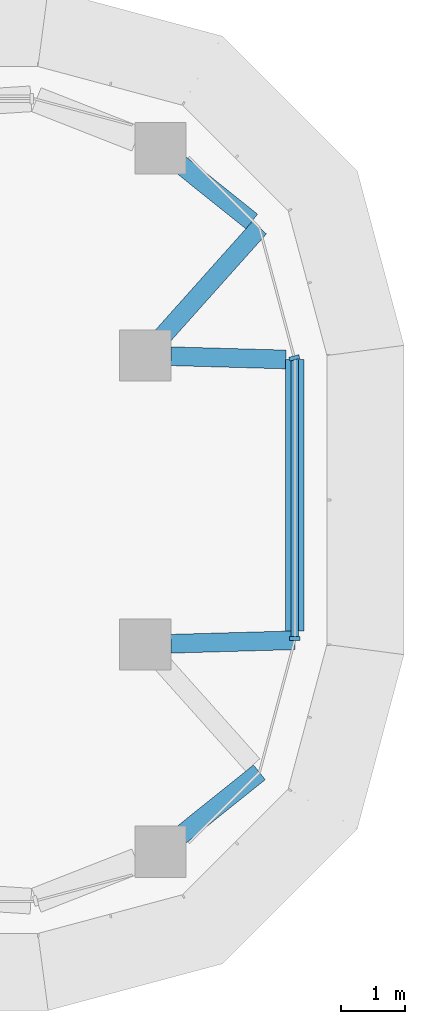
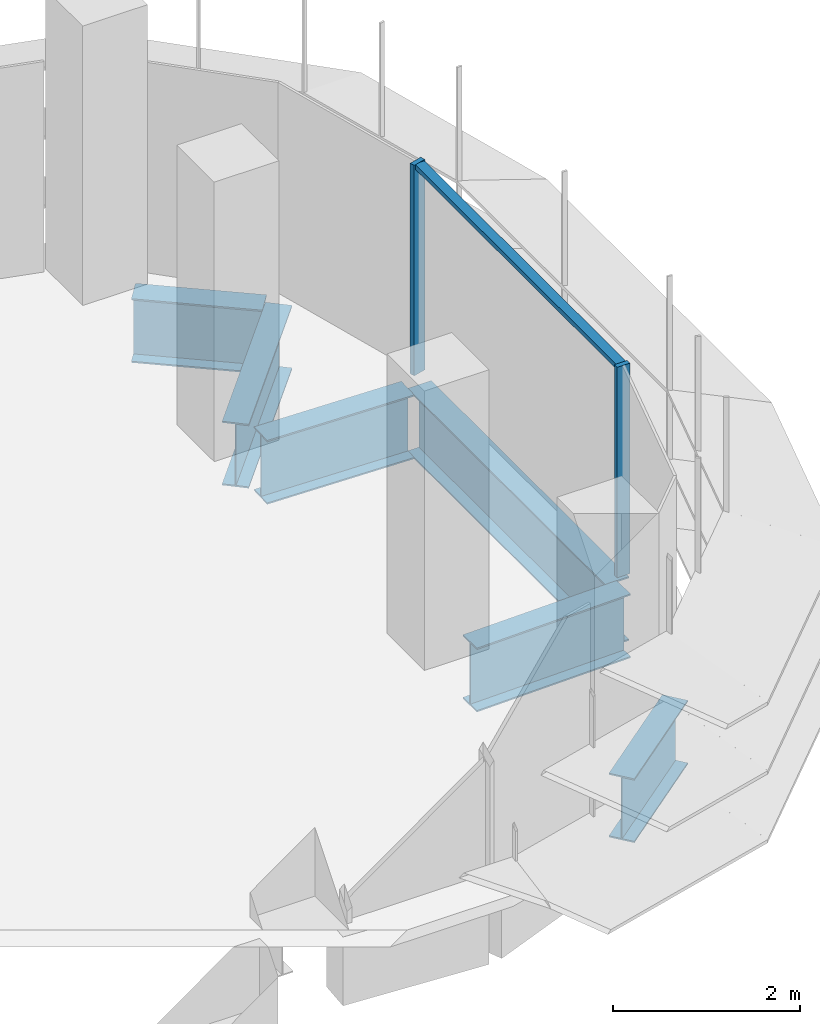
# One storey, part 10 of 20: 6 beams, 3 members, 2 elements without a shape of their own.
"""IFC4 building model written with IfcOpenShell, lengths in metres."""

from ifc_helpers import new_model, si_unit, direction, frame, origin, origin_2d, place, context, subcontext, project, spatial, polyline, i_section, outline, extrude, source, transform, mapped, material, material_profile, profile_set, type_object, element, aggregate, save


model = new_model("IFC4")

# Units and contexts
model_context = context("Model", 3, precision=1e-05, world=origin(), true_north=direction((0.0, 1.0)))
body_context = subcontext(model_context, "Body", "Model", "MODEL_VIEW")
ifc_project = project(units=[si_unit("LENGTHUNIT", "METRE"), si_unit("AREAUNIT", "SQUARE_METRE"), si_unit("VOLUMEUNIT", "CUBIC_METRE"), si_unit("PLANEANGLEUNIT", "RADIAN"), si_unit("MASSUNIT", "GRAM", prefix="KILO")], contexts=[model_context])

# Site, building, storey
site_placement = place(None, origin())
site = spatial("IfcSite", under=ifc_project, at=site_placement, CompositionType="ELEMENT")
building_placement = place(site_placement, origin())
building = spatial("IfcBuilding", under=site, at=building_placement, Name="Zarbagh Exchange Tower", CompositionType="ELEMENT")
storey_placement = place(building_placement, frame((0.0, 0.0, 152.39990234375)))
storey = spatial("IfcBuildingStorey", under=building, at=storey_placement, Name="L36", CompositionType="ELEMENT", Elevation=152.39990234375)

# Beams
ifc_material_1 = material(Name="Steel ASTM A992 Gr 50", Category="steel")
ifc_material_profile = material_profile(ifc_material_1, i_section(OverallWidth=0.2919921875, OverallDepth=0.835693359375, WebThickness=0.013916015625, FlangeThickness=0.018798828125, at=origin_2d()), Name="W33X118")
ifc_profile_set = profile_set([ifc_material_profile], Name="Steel ASTM A992 Gr 50")
beam_type = type_object("IfcBeamType", Name="Floor girder W33X118", PredefinedType="BEAM", material=ifc_profile_set)
beam_1_placement = place(storey_placement, frame((29.22021484375, 5.22509765625, -0.567626953125), z_axis=(0.780533236132, -0.625114283387, 0.0), x_axis=(0.625114283387, 0.780533236132, 0.0)))
element("IfcBeam", 1, at=beam_1_placement, inside=storey, type_object=beam_type, Name="Steel girder", PredefinedType="BEAM", context=body_context, shape_type="SweptSolid", body=[
    extrude(i_section(OverallWidth=0.2919921875, OverallDepth=0.835693359375, WebThickness=0.013916015625, FlangeThickness=0.018798828125, at=origin_2d()), origin(), (0.0, 0.0, 1.0), 1.420166015625),
])
beam_2_placement = place(storey_placement, frame((30.44873046875, 4.2412109375, -0.567626953125), z_axis=(-0.666191013206, -0.745781156857, 0.0), x_axis=(0.745781156857, -0.666191013206, 0.0)))
element("IfcBeam", 2, at=beam_2_placement, inside=storey, type_object=beam_type, Name="Steel girder", PredefinedType="BEAM", context=body_context, shape_type="SweptSolid", body=[
    extrude(i_section(OverallWidth=0.2919921875, OverallDepth=0.835693359375, WebThickness=0.013916015625, FlangeThickness=0.018798828125, at=origin_2d()), origin(), (0.0, 0.0, 1.0), 2.27001953125),
])
beam_3_placement = place(storey_placement, frame((29.06982421875, 2.23876953125, -0.567626953125), z_axis=(0.999600942558, -0.028248108547, 0.0), x_axis=(0.028248108547, 0.999600942558, 0.0)))
element("IfcBeam", 3, at=beam_3_placement, inside=storey, type_object=beam_type, Name="Steel girder", PredefinedType="BEAM", context=body_context, shape_type="SweptSolid", body=[
    extrude(i_section(OverallWidth=0.2919921875, OverallDepth=0.835693359375, WebThickness=0.013916015625, FlangeThickness=0.018798828125, at=origin_2d()), origin(), (0.0, 0.0, 1.0), 1.7890625),
])
beam_4_placement = place(storey_placement, frame((31.0, 2.18408203125, -0.567626953125), z_axis=(0.0, -1.0, 0.0), x_axis=(1.0, 0.0, 0.0)))
element("IfcBeam", 4, at=beam_4_placement, inside=storey, type_object=beam_type, Name="Steel girder", PredefinedType="BEAM", context=body_context, shape_type="SweptSolid", body=[
    extrude(i_section(OverallWidth=0.2919921875, OverallDepth=0.835693359375, WebThickness=0.013916015625, FlangeThickness=0.018798828125, at=origin_2d()), origin(), (0.0, 0.0, 1.0), 4.226318359375),
])
beam_5_placement = place(storey_placement, frame((31.0, -2.18408203125, -0.567626953125), z_axis=(-0.999598864551, -0.028321546377, 0.0), x_axis=(0.028321546377, -0.999598864551, 0.0)))
element("IfcBeam", 5, at=beam_5_placement, inside=storey, type_object=beam_type, Name="Steel girder", PredefinedType="BEAM", context=body_context, shape_type="SweptSolid", body=[
    extrude(i_section(OverallWidth=0.2919921875, OverallDepth=0.835693359375, WebThickness=0.013916015625, FlangeThickness=0.018798828125, at=origin_2d()), origin(), (0.0, 0.0, 1.0), 1.930908203125),
])
beam_6_placement = place(storey_placement, frame((30.44873046875, -4.2412109375, -0.567626953125), z_axis=(-0.780535770033, -0.625111119482, 0.0), x_axis=(0.625111119482, -0.780535770033, 0.0)))
element("IfcBeam", 6, at=beam_6_placement, inside=storey, type_object=beam_type, Name="Steel girder", PredefinedType="BEAM", context=body_context, shape_type="SweptSolid", body=[
    extrude(i_section(OverallWidth=0.2919921875, OverallDepth=0.835693359375, WebThickness=0.013916015625, FlangeThickness=0.018798828125, at=origin_2d()), origin(), (0.0, 0.0, 1.0), 1.573974609375),
])

# Curtain wall, member
ifc_material_2 = material(Name="Anodised aluminium frame and glazing", Category="aluminium")
curtain_wall_type = type_object("IfcCurtainWallType", Name="CWB Ribbon glazing, upper zones", PredefinedType="NOTDEFINED", material=ifc_material_2)
curtain_wall_1_placement = place(storey_placement, origin())
curtain_wall_1 = element("IfcCurtainWall", 7, at=curtain_wall_1_placement, inside=storey, type_object=curtain_wall_type, Name="CWB12 curtain wall", PredefinedType="NOTDEFINED")
ifc_material_3 = material(Name="Anodised aluminium frame", Category="aluminium")
member_type_1 = type_object("IfcMemberType", Name="MUB Mullion, anodised aluminium frame", PredefinedType="MULLION", material=ifc_material_3)
shared_shape_1 = source(origin(), body_context, "Body", "SweptSolid", [
    extrude(outline(polyline([(0.0, -0.080078125), (0.06005859375, -0.080078125), (0.06005859375, 0.080078125), (0.0, 0.080078125), (0.0, -0.080078125)])), origin(), (0.0, 0.0, 1.0), 2.75),
])
placement = place(storey_placement, origin())
member_1 = element("IfcMember", 8, at=placement, type_object=member_type_1, Name="CWB12 mullion 1.1", PredefinedType="MULLION", context=body_context, shape_type="MappedRepresentation", body=[
    mapped(shared_shape_1, transform((31.0, -2.18408203125, 0.0), x_axis=(0.0, 1.0, 0.0), y_axis=(-1.0, 0.0, 0.0), z_axis=(0.0, 0.0, 1.0))),
])

curtain_wall_2_placement = place(storey_placement, origin())
curtain_wall_2 = element("IfcCurtainWall", 9, at=curtain_wall_2_placement, inside=storey, type_object=curtain_wall_type, Name="CWB13 curtain wall", PredefinedType="NOTDEFINED")
member_2 = element("IfcMember", 10, at=placement, type_object=member_type_1, Name="CWB13 mullion 1.1", PredefinedType="MULLION", context=body_context, shape_type="MappedRepresentation", body=[
    mapped(shared_shape_1, transform((31.0, 2.18408203125, 0.0), x_axis=(-0.258824779902, 0.965924289636, 0.0), y_axis=(-0.965924289636, -0.258824779902, 0.0), z_axis=(0.0, 0.0, 1.0))),
])
aggregate(curtain_wall_2, [member_2])

# Member
member_type_2 = type_object("IfcMemberType", Name="TRB Transom, anodised aluminium frame", PredefinedType="USERDEFINED", material=ifc_material_3)
shared_shape_2 = source(origin(), body_context, "Body", "SweptSolid", [
    extrude(outline(polyline([(-0.06005859375, -0.06005859375), (0.0, -0.06005859375), (0.0, 0.06005859375), (-0.06005859375, 0.06005859375), (-0.06005859375, -0.06005859375)])), origin(), (0.0, 0.0, 1.0), 4.308349609375),
])
member_3 = element("IfcMember", 11, at=placement, type_object=member_type_2, Name="CWB12 transom 1.1", ObjectType="TRANSOM", PredefinedType="USERDEFINED", context=body_context, shape_type="MappedRepresentation", body=[
    mapped(shared_shape_2, transform((31.0, -2.124267578125, 2.75), x_axis=(0.0, 0.0, 1.0), y_axis=(1.0, 0.0, 0.0), z_axis=(0.0, 1.0, 0.0))),
])

aggregate(curtain_wall_1, [member_1, member_3])

save(model, "model.ifc")
